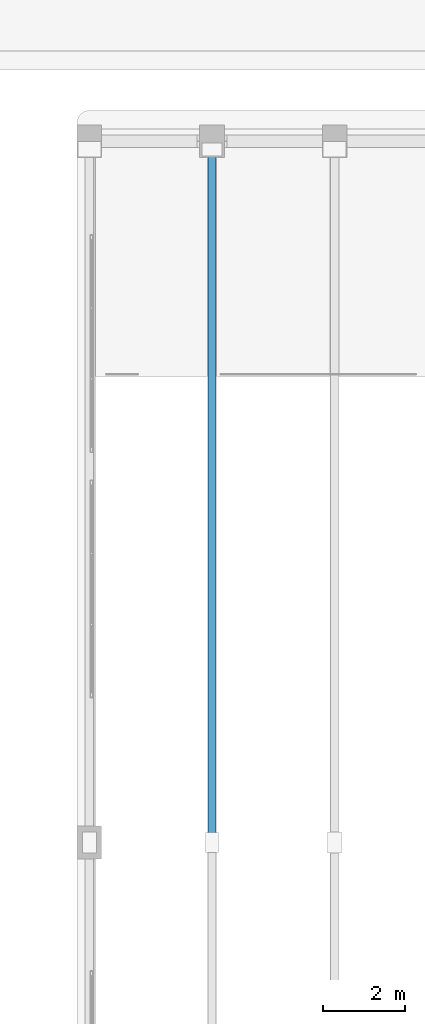
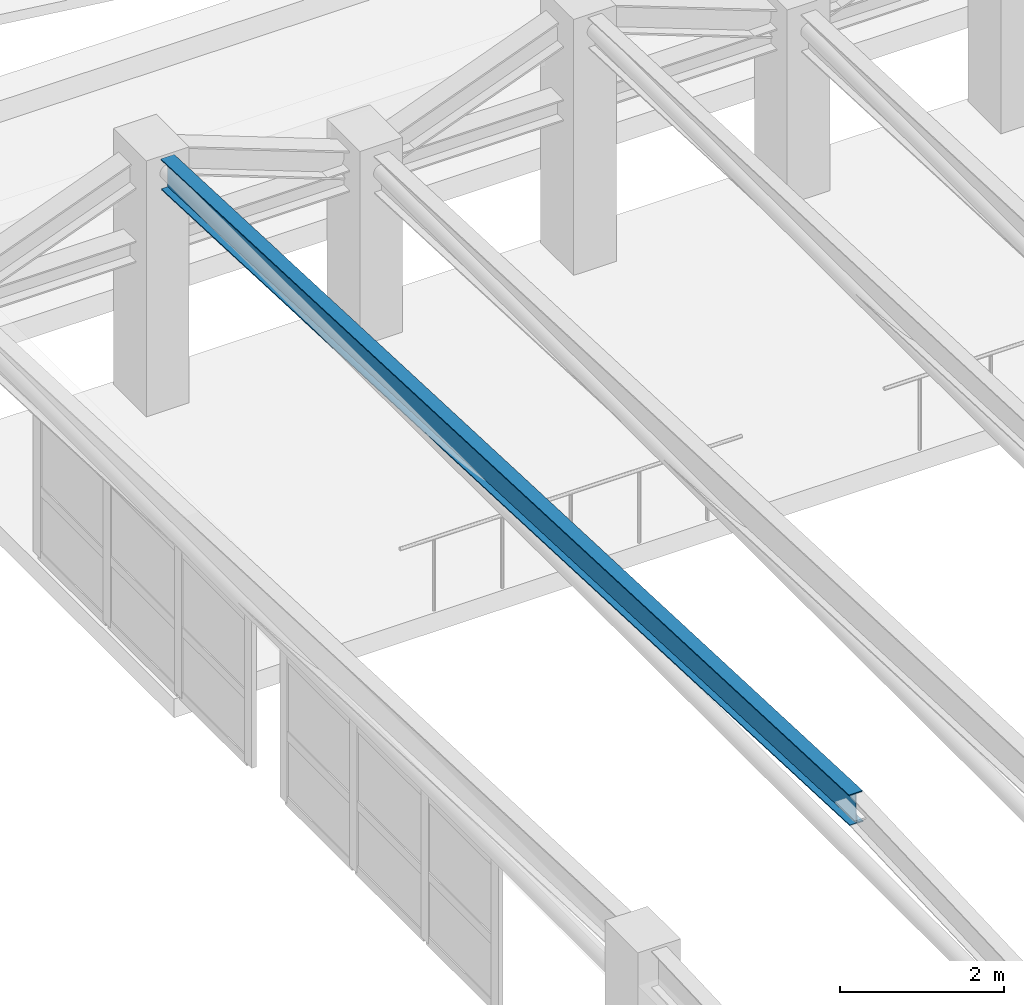
# One storey, part 18 of 128: 1 beam.
"""IFC4 building model written with IfcOpenShell, lengths in metres."""

from ifc_helpers import new_model, si_unit, direction, frame, origin, origin_2d, place, context, subcontext, project, spatial, i_section, extrude, material, material_profile, profile_set, type_object, element, save


model = new_model("IFC4")

# Units and contexts
model_context = context("Model", 3, precision=1e-05, world=origin(), true_north=direction((0.0, 1.0)))
body_context = subcontext(model_context, "Body", "Model", "MODEL_VIEW")
ifc_project = project(units=[si_unit("LENGTHUNIT", "METRE"), si_unit("AREAUNIT", "SQUARE_METRE"), si_unit("VOLUMEUNIT", "CUBIC_METRE"), si_unit("PLANEANGLEUNIT", "RADIAN"), si_unit("MASSUNIT", "GRAM", prefix="KILO")], contexts=[model_context])

# Site, building, storey
site_placement = place(None, origin())
site = spatial("IfcSite", under=ifc_project, at=site_placement, CompositionType="ELEMENT")
building_placement = place(site_placement, origin())
building = spatial("IfcBuilding", under=site, at=building_placement, Name="Keldmere Railside Commons", CompositionType="ELEMENT")
storey_placement = place(building_placement, frame((0.0, 0.0, 4.159912109375)))
storey = spatial("IfcBuildingStorey", under=building, at=storey_placement, Name="L01", CompositionType="ELEMENT", Elevation=4.159912109375)

# Beam
ifc_material = material(Name="Steel F-36 (S355)", Category="steel")
ifc_material_profile = material_profile(ifc_material, i_section(OverallWidth=0.18994140625, OverallDepth=0.449951171875, WebThickness=0.009521484375, FlangeThickness=0.0146484375, at=origin_2d()), Name="IPE-450")
ifc_profile_set = profile_set([ifc_material_profile], Name="Steel F-36 (S355)")
beam_type = type_object("IfcBeamType", Name="Folded-Plate Steel Ridge Rib IPE450", PredefinedType="BEAM", material=ifc_profile_set)
beam_placement = place(storey_placement, frame((67.0, 29.60009765625, 4.239990234375), z_axis=(0.0, 0.999102933585, -0.042347704799), x_axis=(-1.0, 0.0, 0.0)))
element("IfcBeam", 1, at=beam_placement, inside=storey, type_object=beam_type, Name="FPR-1 BM-L01-2582", PredefinedType="BEAM", context=body_context, shape_type="SweptSolid", body=[
    extrude(i_section(OverallWidth=0.18994140625, OverallDepth=0.449951171875, WebThickness=0.009521484375, FlangeThickness=0.0146484375, at=origin_2d()), origin(), (0.0, 0.0, 1.0), 16.76513671875),
])

save(model, "model.ifc")
